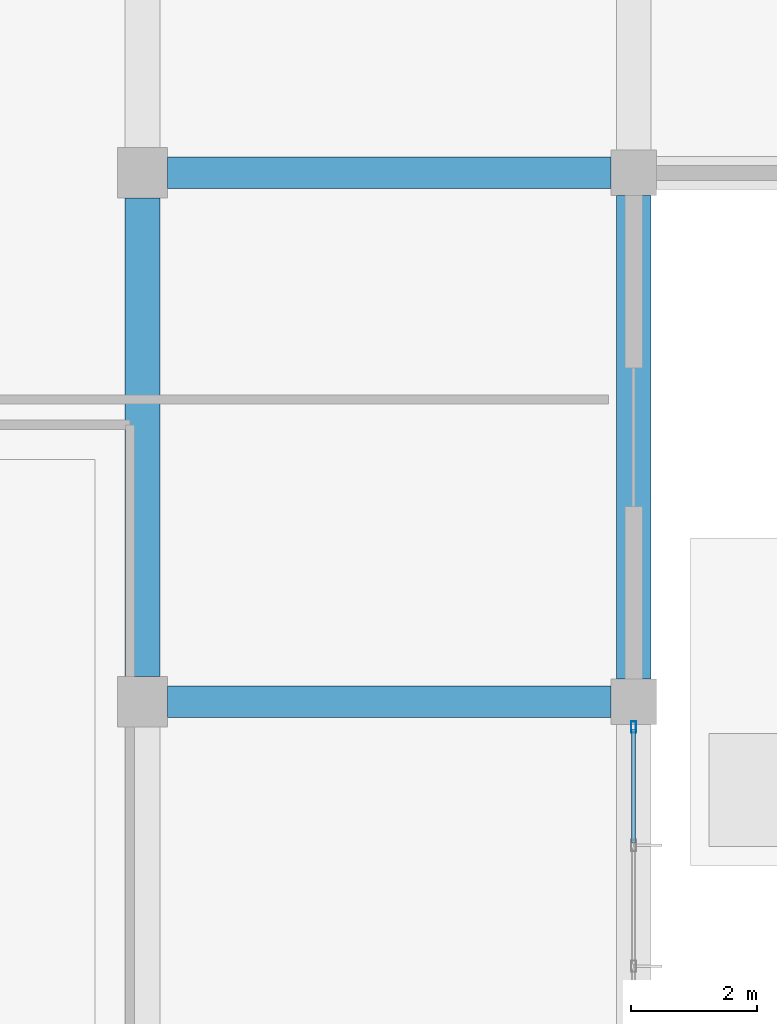
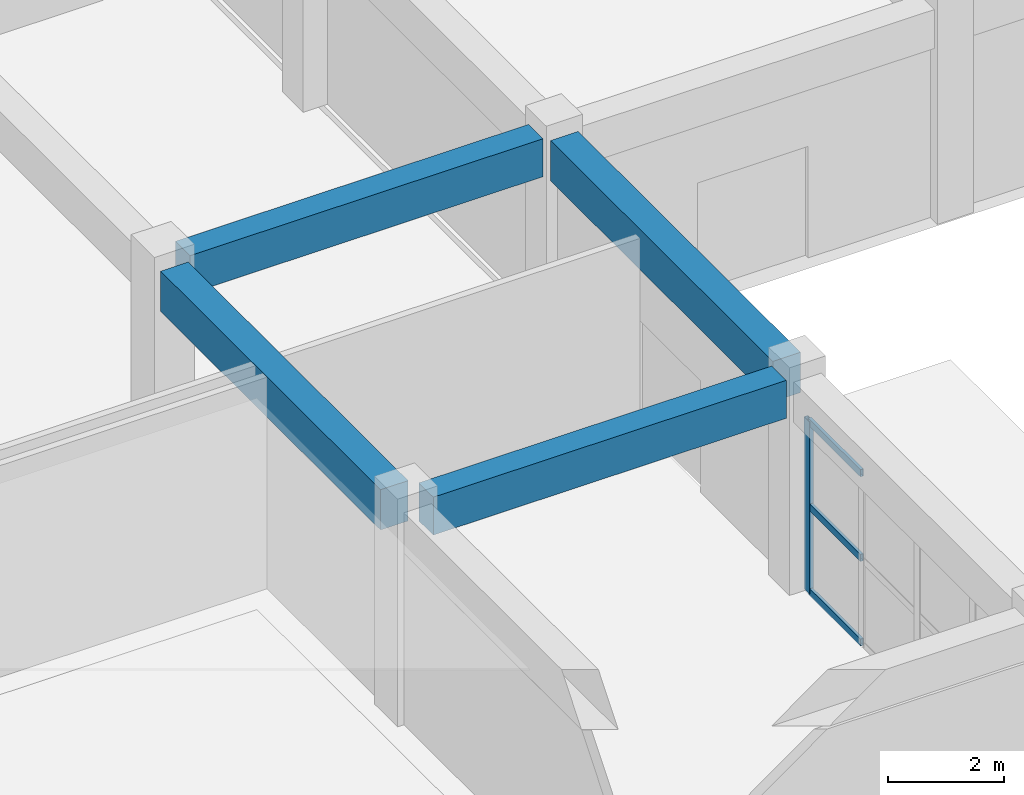
# One storey, part 54 of 139: 4 beams, 4 members, 1 element without a shape of its own.
"""IFC4 building model written with IfcOpenShell, lengths in metres."""

from ifc_helpers import new_model, si_unit, direction, frame, origin, origin_2d, place, context, subcontext, project, spatial, rectangle, hollow_rectangle, extrude, material, layer, layer_set, material_profile, profile_set, type_object, element, aggregate, save


model = new_model("IFC4")

# Units and contexts
model_context = context("Model", 3, precision=1e-05, world=origin(), true_north=direction((0.0, 1.0)))
body_context = subcontext(model_context, "Body", "Model", "MODEL_VIEW")
ifc_project = project(units=[si_unit("LENGTHUNIT", "METRE"), si_unit("AREAUNIT", "SQUARE_METRE"), si_unit("VOLUMEUNIT", "CUBIC_METRE"), si_unit("PLANEANGLEUNIT", "RADIAN"), si_unit("MASSUNIT", "GRAM", prefix="KILO")], contexts=[model_context])

# Site, building, storey
site_placement = place(None, origin())
site = spatial("IfcSite", under=ifc_project, at=site_placement, CompositionType="ELEMENT")
building_placement = place(site_placement, origin())
building = spatial("IfcBuilding", under=site, at=building_placement, Name="Zizhar Promenade General Hospital", CompositionType="ELEMENT")
storey_placement = place(building_placement, origin())
storey = spatial("IfcBuildingStorey", under=building, at=storey_placement, Name="L00", CompositionType="ELEMENT", Elevation=0.0)

# Beams
ifc_material_1 = material(Name="Concrete C35/45", Category="concrete")
ifc_material_profile_1 = material_profile(ifc_material_1, rectangle(XDim=0.5, YDim=0.800048828125, at=origin_2d()))
ifc_profile_set_1 = profile_set([ifc_material_profile_1], Name="Concrete C35/45")
beam_type_1 = type_object("IfcBeamType", Name="BM-RC-500x800", PredefinedType="BEAM", material=ifc_profile_set_1)
for number, where, z_axis, x_axis, name in (
    (1, (125.199951171875, 33.60009765625, 4.070068359375), (1.0, 0.0, 0.0), (0.0, 1.0, 0.0), "Grid Beam X L00 (16-4)"),
    (2, (125.199951171875, 42.0, 4.070068359375), (1.0, 0.0, 0.0), (0.0, 1.0, 0.0), "Grid Beam X L00 (16-5)"),
):
    element("IfcBeam", number, at=place(storey_placement, frame(where, z_axis=z_axis, x_axis=x_axis)), inside=storey, type_object=beam_type_1, Name=name, PredefinedType="BEAM", context=body_context, shape_type="SweptSolid", body=[
        extrude(rectangle(XDim=0.5, YDim=0.800048828125, at=origin_2d()), origin(), (0.0, 0.0, 1.0), 7.0400390625),
    ])
ifc_material_2 = material(Name="Concrete C35/45", Category="concrete")
ifc_material_profile_2 = material_profile(ifc_material_2, rectangle(XDim=0.550048828125, YDim=0.85009765625, at=origin_2d()))
ifc_profile_set_2 = profile_set([ifc_material_profile_2], Name="Concrete C35/45")
beam_type_2 = type_object("IfcBeamType", Name="BM-RC-550x850", PredefinedType="BEAM", material=ifc_profile_set_2)
beam_1_placement = place(storey_placement, frame((124.800048828125, 34.0, 4.044921875), z_axis=(0.0, 1.0, 0.0), x_axis=(-1.0, 0.0, 0.0)))
element("IfcBeam", 3, at=beam_1_placement, inside=storey, type_object=beam_type_2, Name="Grid Beam Y L00 (16-4)", PredefinedType="BEAM", context=body_context, shape_type="SweptSolid", body=[
    extrude(rectangle(XDim=0.550048828125, YDim=0.85009765625, at=origin_2d()), origin(), (0.0, 0.0, 1.0), 7.60009765625),
])
beam_2_placement = place(storey_placement, frame((132.60009765625, 33.9599609375, 4.044921875), z_axis=(0.0, 1.0, 0.0), x_axis=(-1.0, 0.0, 0.0)))
element("IfcBeam", 4, at=beam_2_placement, inside=storey, type_object=beam_type_2, Name="Grid Beam Y L00 (17-4)", PredefinedType="BEAM", context=body_context, shape_type="SweptSolid", body=[
    extrude(rectangle(XDim=0.550048828125, YDim=0.85009765625, at=origin_2d()), origin(), (0.0, 0.0, 1.0), 7.679931640625),
])

# Curtain wall, members
ifc_material_3 = material(Name="Anodised aluminium 6063-T6 and low-E glass", Category="aluminium")
ifc_layer = layer(ifc_material_3, 0.159912109375)
ifc_layer_set = layer_set([ifc_layer], Name="Anodised aluminium 6063-T6 and low-E glass")
curtain_wall_type = type_object("IfcCurtainWallType", Name="CW-HALL-S", PredefinedType="NOTDEFINED", material=ifc_layer_set)
curtain_wall_placement = place(storey_placement, origin())
curtain_wall = element("IfcCurtainWall", 5, at=curtain_wall_placement, inside=storey, type_object=curtain_wall_type, Name="Forecourt Arrival Glazed Curtain Wall L00-3", PredefinedType="NOTDEFINED")
ifc_material_4 = material(Name="Anodised aluminium 6063-T6", Category="aluminium")
ifc_material_profile_3 = material_profile(ifc_material_4, hollow_rectangle(XDim=0.080078125, YDim=0.179931640625, WallThickness=0.0048828125, at=origin_2d()))
ifc_profile_set_3 = profile_set([ifc_material_profile_3], Name="Anodised aluminium 6063-T6")
member_type_1 = type_object("IfcMemberType", Name="CWM-ALU-180x80", PredefinedType="MULLION", material=ifc_profile_set_3)
member_1_placement = place(storey_placement, frame((132.60009765625, 33.199951171875, 0.0), z_axis=(0.0, 0.0, 1.0), x_axis=(1.0, 0.0, 0.0)))
member_1 = element("IfcMember", 6, at=member_1_placement, type_object=member_type_1, Name="CW-01 mullion 1", PredefinedType="MULLION", context=body_context, shape_type="SweptSolid", body=[
    extrude(hollow_rectangle(XDim=0.080078125, YDim=0.179931640625, WallThickness=0.0048828125, at=origin_2d()), origin(), (0.0, 0.0, 1.0), 3.6298828125),
])
ifc_material_5 = material(Name="Anodised aluminium 6063-T6", Category="aluminium")
ifc_material_profile_4 = material_profile(ifc_material_5, hollow_rectangle(XDim=0.06005859375, YDim=0.14990234375, WallThickness=0.00390625, at=origin_2d()))
ifc_profile_set_4 = profile_set([ifc_material_profile_4], Name="Anodised aluminium 6063-T6")
member_type_2 = type_object("IfcMemberType", Name="CWT-ALU-150x60", PredefinedType="USERDEFINED", material=ifc_profile_set_4)
member_2_placement = place(storey_placement, frame((132.60009765625, 33.159912109375, 0.030029296875), z_axis=(0.0, -1.0, 0.0), x_axis=(1.0, 0.0, 0.0)))
member_2 = element("IfcMember", 7, at=member_2_placement, type_object=member_type_2, Name="CW-01 transom 1.1", ObjectType="TRANSOM", PredefinedType="USERDEFINED", context=body_context, shape_type="SweptSolid", body=[
    extrude(hollow_rectangle(XDim=0.06005859375, YDim=0.14990234375, WallThickness=0.00390625, at=origin_2d()), origin(), (0.0, 0.0, 1.0), 1.7998046875),
])
member_3_placement = place(storey_placement, frame((132.60009765625, 33.159912109375, 1.81494140625), z_axis=(0.0, -1.0, 0.0), x_axis=(1.0, 0.0, 0.0)))
member_3 = element("IfcMember", 8, at=member_3_placement, type_object=member_type_2, Name="CW-01 transom 1.2", ObjectType="TRANSOM", PredefinedType="USERDEFINED", context=body_context, shape_type="SweptSolid", body=[
    extrude(hollow_rectangle(XDim=0.06005859375, YDim=0.14990234375, WallThickness=0.00390625, at=origin_2d()), origin(), (0.0, 0.0, 1.0), 1.7998046875),
])
member_4_placement = place(storey_placement, frame((132.60009765625, 33.159912109375, 3.60009765625), z_axis=(0.0, -1.0, 0.0), x_axis=(1.0, 0.0, 0.0)))
member_4 = element("IfcMember", 9, at=member_4_placement, type_object=member_type_2, Name="CW-01 transom 1.3", ObjectType="TRANSOM", PredefinedType="USERDEFINED", context=body_context, shape_type="SweptSolid", body=[
    extrude(hollow_rectangle(XDim=0.06005859375, YDim=0.14990234375, WallThickness=0.00390625, at=origin_2d()), origin(), (0.0, 0.0, 1.0), 1.7998046875),
])
aggregate(curtain_wall, [member_1, member_2, member_3, member_4])

save(model, "model.ifc")
